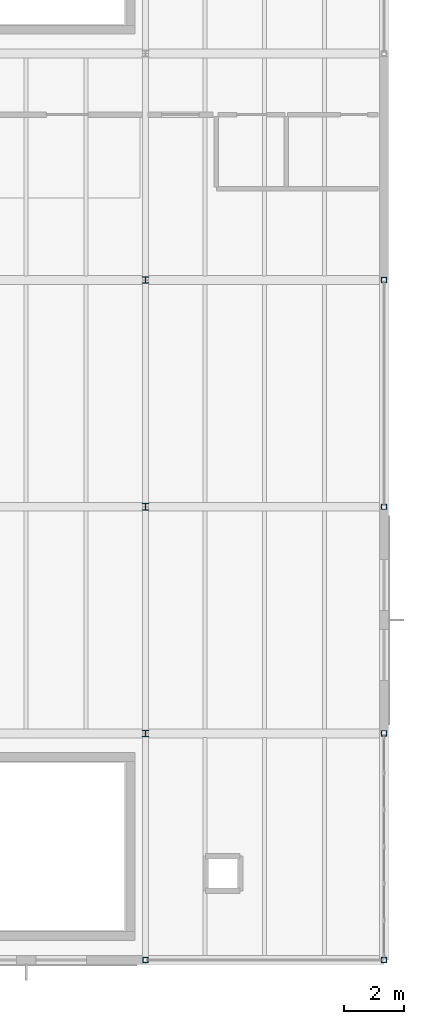
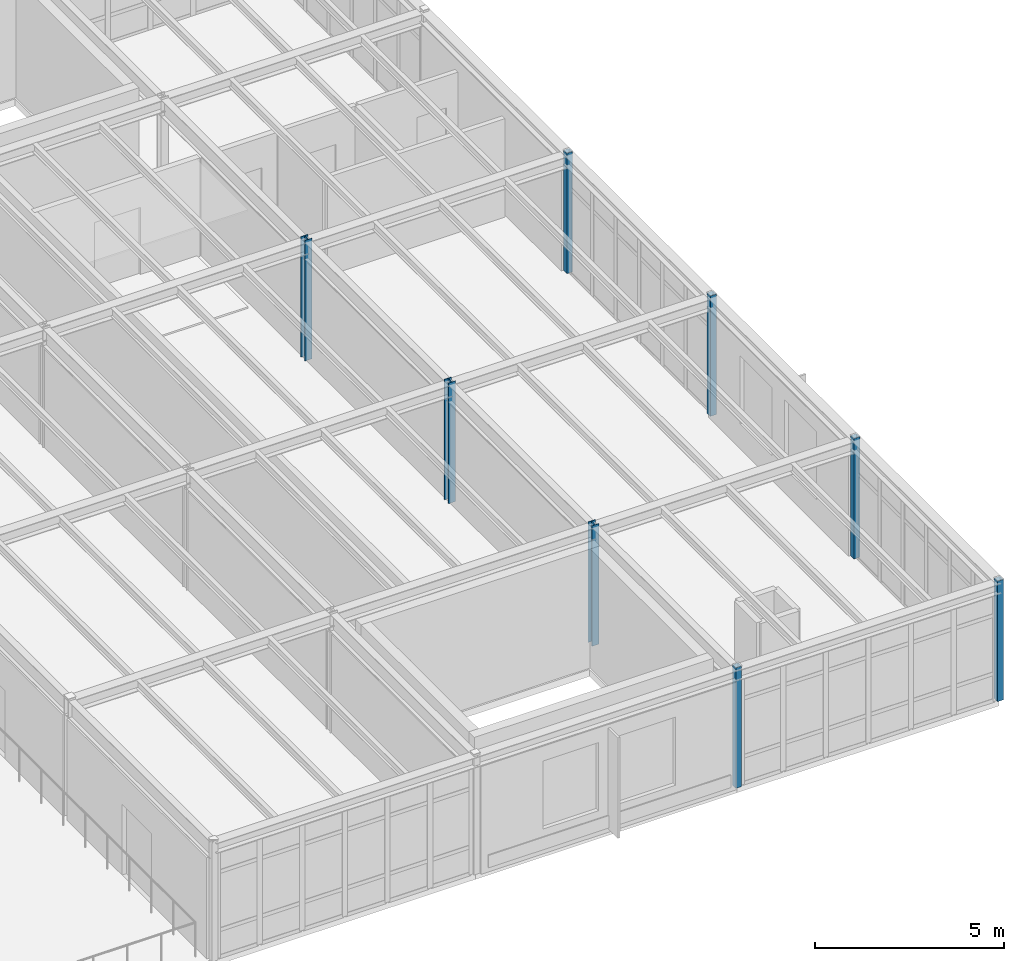
# One storey, part 10 of 65: 8 columns.
"""IFC4 building model written with IfcOpenShell, lengths in metres."""

import ifcopenshell
import ifcopenshell.guid

model = None  # the IFC model being written
_history = None  # IfcOwnerHistory: only IFC2X3 demands one
_inside = {}  # id of a spatial element -> (the spatial element, [elements in it])
_under = {}  # id of a project, library or spatial element -> (it, [spatial elements below it])
_declared = {}  # id of a project -> (the project, [libraries it declares])
_typed = {}  # id of a type object -> (the type object, [elements of that type])
_made_of = {}  # id of a material, layer set ... -> (it, [elements and type objects made of it])


def new_model(schema):
    """Start an empty IFC model of exactly this schema.

    Asked for "IFC4X3", IfcOpenShell would pick the latest addendum, in which some entities
    have other attributes; the version numbers below select the first issue.
    IFC2X3 requires an IfcOwnerHistory on every rooted entity: one is made here for all.
    """
    global model, _history
    if schema == "IFC4X3":
        model = ifcopenshell.file(schema_version=(4, 3, 0, 0))
    else:
        model = ifcopenshell.file(schema=schema)
    _inside.clear()
    _under.clear()
    _declared.clear()
    _typed.clear()
    _made_of.clear()
    _history = None
    if model.schema == "IFC2X3":
        org = make("IfcOrganization", Name="unknown")
        user = make(
            "IfcPersonAndOrganization",
            ThePerson=make("IfcPerson", FamilyName="unknown"),
            TheOrganization=org,
        )
        app = make(
            "IfcApplication",
            ApplicationDeveloper=org,
            Version="unknown",
            ApplicationFullName="unknown",
            ApplicationIdentifier="unknown",
        )
        _history = make(
            "IfcOwnerHistory",
            OwningUser=user,
            OwningApplication=app,
            ChangeAction="ADDED",
            CreationDate=0,
        )
    return model


def make(cls, **values):
    """One entity of the class cls with the attributes given. An attribute that is None is left unset."""
    return model.create_entity(
        cls, **{name: value for name, value in values.items() if value is not None}
    )


def rooted(cls, **values):
    """An entity with a GlobalId (a new one), such as an element, a storey or a relation."""
    return make(cls, GlobalId=ifcopenshell.guid.new(), OwnerHistory=_history, **values)


def si_unit(unit_type, name, prefix=None):
    """IfcSIUnit, for example si_unit("LENGTHUNIT", "METRE", prefix="MILLI")."""
    return make("IfcSIUnit", UnitType=unit_type, Prefix=prefix, Name=name)


def assignment(units):
    """IfcUnitAssignment: the units of a project."""
    return None if units is None else make("IfcUnitAssignment", Units=units)


def point(xyz):
    """IfcCartesianPoint."""
    return None if xyz is None else make("IfcCartesianPoint", Coordinates=xyz)


def direction(xyz):
    """IfcDirection."""
    return None if xyz is None else make("IfcDirection", DirectionRatios=xyz)


def frame(location, z_axis=None, x_axis=None):
    """IfcAxis2Placement3D, a coordinate frame: its origin and axes. An axis left out is left unset."""
    return make(
        "IfcAxis2Placement3D",
        Location=point(location),
        Axis=direction(z_axis),
        RefDirection=direction(x_axis),
    )


def frame_2d(location, x_axis=None):
    """IfcAxis2Placement2D, a coordinate frame in the plane: its origin and x axis."""
    return make(
        "IfcAxis2Placement2D", Location=point(location), RefDirection=direction(x_axis)
    )


def origin():
    """The frame at (0, 0, 0) with its axes left unset."""
    return frame((0.0, 0.0, 0.0))


def origin_2d():
    """The frame at (0, 0) in the plane with its x axis left unset."""
    return frame_2d((0.0, 0.0))


def place(relative_to, where):
    """IfcLocalPlacement: puts the frame where relative to a parent placement (None: the world)."""
    return make(
        "IfcLocalPlacement", PlacementRelTo=relative_to, RelativePlacement=where
    )


def context(
    kind, dimensions, precision=None, world=None, true_north=None, identifier=None
):
    """IfcGeometricRepresentationContext, for example the 3D "Model" context."""
    return make(
        "IfcGeometricRepresentationContext",
        ContextIdentifier=identifier,
        ContextType=kind,
        CoordinateSpaceDimension=dimensions,
        Precision=precision,
        WorldCoordinateSystem=world,
        TrueNorth=true_north,
    )


def subcontext(parent, identifier, kind, view, scale=None):
    """IfcGeometricRepresentationSubContext, for example "Body" below "Model"."""
    return make(
        "IfcGeometricRepresentationSubContext",
        ContextIdentifier=identifier,
        ContextType=kind,
        ParentContext=parent,
        TargetScale=scale,
        TargetView=view,
    )


def project(units=None, contexts=None):
    """IfcProject with its units and contexts."""
    return rooted(
        "IfcProject",
        Name="project",
        RepresentationContexts=contexts,
        UnitsInContext=assignment(units),
    )


def spatial(cls, under=None, at=None, **own):
    """A site, building, storey or space (cls), placed at a placement, below another one or the project."""
    s = rooted(cls, ObjectPlacement=at, **own)
    if under is not None:
        _under.setdefault(under.id(), (under, []))[1].append(s)
    return s


def profile(cls, at=None, kind="AREA", **sizes):
    """A parametric profile (cls). Its sizes go by their IFC names, for example OverallWidth=200.0."""
    return make(cls, ProfileType=kind, Position=at, **sizes)


def hollow_rectangle(**sizes):
    """IfcRectangleHollowProfileDef."""
    return profile("IfcRectangleHollowProfileDef", **sizes)


def i_section(**sizes):
    """IfcIShapeProfileDef."""
    return profile("IfcIShapeProfileDef", **sizes)


def extrude(swept, where, along, depth):
    """IfcExtrudedAreaSolid: the profile swept, set in the frame where, extruded along a direction by depth."""
    return make(
        "IfcExtrudedAreaSolid",
        SweptArea=swept,
        Position=where,
        ExtrudedDirection=direction(along),
        Depth=depth,
    )


def shape(context_of_items, identifier, shape_type, items):
    """IfcShapeRepresentation: the items that make up one representation, for example the "Body"."""
    return make(
        "IfcShapeRepresentation",
        ContextOfItems=context_of_items,
        RepresentationIdentifier=identifier,
        RepresentationType=shape_type,
        Items=items,
    )


def material(Name=None, Category=None):
    """IfcMaterial."""
    return make("IfcMaterial", Name=Name, Category=Category)


def material_profile(
    of_material, cross_section, Name=None, Category=None, Priority=None
):
    """IfcMaterialProfile: a cross section and its material."""
    return make(
        "IfcMaterialProfile",
        Name=Name,
        Material=of_material,
        Profile=cross_section,
        Priority=Priority,
        Category=Category,
    )


def profile_set(profiles, Name=None, composite=None):
    """IfcMaterialProfileSet."""
    return make(
        "IfcMaterialProfileSet",
        Name=Name,
        MaterialProfiles=profiles,
        CompositeProfile=composite,
    )


def made_of(thing, what):
    """Note that an element or type object is made of a material, layer set ...; save() writes the relation."""
    if what is not None:
        _made_of.setdefault(what.id(), (what, []))[1].append(thing)
    return thing


def type_object(cls, material=None, **own):
    """A type object (cls), such as IfcWallType, which elements share."""
    return made_of(rooted(cls, **own), material)


def element(
    cls,
    number,
    at=None,
    inside=None,
    cuts=None,
    type_object=None,
    material=None,
    context=None,
    identifier="Body",
    shape_type=None,
    held_by="IfcProductDefinitionShape",
    body=None,
    shapes=None,
    **own,
):
    """One element of the class cls, such as IfcWall. Its Tag is "e" and its number.

    at: its placement. inside: the storey or other place that contains it. cuts: it is an
    opening in that element (IfcRelVoidsElement). A single representation is given by context,
    identifier, shape_type and body (its items); several are given by shapes. held_by: the class
    of the entity that holds the representations. save() writes the other relations.
    """
    e = rooted(cls, Tag="e%d" % number, ObjectPlacement=at, **own)
    if body is not None:
        shapes = [shape(context, identifier, shape_type, body)]
    if shapes is not None:
        e.Representation = make(held_by, Representations=shapes)
    if inside is not None:
        _inside.setdefault(inside.id(), (inside, []))[1].append(e)
    if cuts is not None:
        rooted(
            "IfcRelVoidsElement", RelatingBuildingElement=cuts, RelatedOpeningElement=e
        )
    if type_object is not None:
        _typed.setdefault(type_object.id(), (type_object, []))[1].append(e)
    return made_of(e, material)


def aggregate(whole, parts):
    """IfcRelAggregates: a whole, such as a stair, and the parts it consists of."""
    return rooted("IfcRelAggregates", RelatingObject=whole, RelatedObjects=parts)


def save(model, path):
    """Write the relations noted so far, then the file.

    IfcRelAggregates (storeys below a building ...), IfcRelContainedInSpatialStructure (elements
    in a storey), IfcRelDefinesByType, IfcRelAssociatesMaterial and IfcRelDeclares: one each for
    every whole, place, type object, material and project.
    """
    for whole, parts in _under.values():
        aggregate(whole, parts)
    for where, things in _inside.values():
        rooted(
            "IfcRelContainedInSpatialStructure",
            RelatedElements=things,
            RelatingStructure=where,
        )
    for kind, things in _typed.values():
        rooted("IfcRelDefinesByType", RelatedObjects=things, RelatingType=kind)
    for what, things in _made_of.values():
        rooted("IfcRelAssociatesMaterial", RelatedObjects=things, RelatingMaterial=what)
    for by, libraries in _declared.values():
        rooted("IfcRelDeclares", RelatingContext=by, RelatedDefinitions=libraries)
    model.write(path)


model = new_model("IFC4")

# Units and contexts
model_context = context("Model", 3, precision=1e-05, world=origin(), true_north=direction((0.0, 1.0)))
body_context = subcontext(model_context, "Body", "Model", "MODEL_VIEW")
ifc_project = project(units=[si_unit("LENGTHUNIT", "METRE"), si_unit("AREAUNIT", "SQUARE_METRE"), si_unit("VOLUMEUNIT", "CUBIC_METRE"), si_unit("PLANEANGLEUNIT", "RADIAN"), si_unit("MASSUNIT", "GRAM", prefix="KILO")], contexts=[model_context])

# Site, building, storey
site_placement = place(None, origin())
site = spatial("IfcSite", under=ifc_project, at=site_placement, CompositionType="ELEMENT")
building_placement = place(site_placement, origin())
building = spatial("IfcBuilding", under=site, at=building_placement, Name="Montecoro Central Library", CompositionType="ELEMENT")
storey_placement = place(building_placement, frame((0.0, 0.0, 17.340087890625)))
storey = spatial("IfcBuildingStorey", under=building, at=storey_placement, Name="L04", CompositionType="ELEMENT", Elevation=17.340087890625)

# Columns
ifc_material = material(Name="Steel S355", Category="steel")
ifc_material_profile_1 = material_profile(ifc_material, i_section(OverallWidth=0.219970703125, OverallDepth=0.219970703125, WebThickness=0.009521484375, FlangeThickness=0.01611328125, at=origin_2d()), Name="HEB 220")
ifc_profile_set_1 = profile_set([ifc_material_profile_1], Name="Steel S355")
column_type_1 = type_object("IfcColumnType", Name="COL-HEB220", PredefinedType="COLUMN", material=ifc_profile_set_1)
for number, where, z_axis, x_axis, name in (
    (1, (165.0, 12.60009765625, 0.0), (0.0, 0.0, 1.0), (1.0, 0.0, 0.0), "V6-L04-COL-21-B"),
    (2, (165.0, 20.199951171875, 0.0), (0.0, 0.0, 1.0), (1.0, 0.0, 0.0), "V6-L04-COL-21-C"),
    (3, (165.0, 27.800048828125, 0.0), (0.0, 0.0, 1.0), (1.0, 0.0, 0.0), "V6-L04-COL-21-D"),
):
    element("IfcColumn", number, at=place(storey_placement, frame(where, z_axis=z_axis, x_axis=x_axis)), inside=storey, type_object=column_type_1, Name=name, PredefinedType="COLUMN", context=body_context, shape_type="SweptSolid", body=[
        extrude(i_section(OverallWidth=0.219970703125, OverallDepth=0.219970703125, WebThickness=0.009521484375, FlangeThickness=0.01611328125, at=origin_2d()), origin(), (0.0, 0.0, 1.0), 3.889892578125),
    ])
ifc_material_profile_2 = material_profile(ifc_material, hollow_rectangle(XDim=0.179931640625, YDim=0.179931640625, WallThickness=0.010009765625, at=origin_2d()), Name="SHS 180x180x10.0")
ifc_profile_set_2 = profile_set([ifc_material_profile_2], Name="Steel S355")
column_type_2 = type_object("IfcColumnType", Name="COL-SHS180", PredefinedType="COLUMN", material=ifc_profile_set_2)
for number, where, z_axis, x_axis, name in (
    (4, (165.0, 5.0, 0.0), (0.0, 0.0, 1.0), (1.0, 0.0, 0.0), "V6-L04-COL-21-A"),
    (5, (173.0, 5.0, 0.0), (0.0, 0.0, 1.0), (1.0, 0.0, 0.0), "V6-L04-COL-22-A"),
    (6, (173.0, 12.60009765625, 0.0), (0.0, 0.0, 1.0), (1.0, 0.0, 0.0), "V6-L04-COL-22-B"),
    (7, (173.0, 20.199951171875, 0.0), (0.0, 0.0, 1.0), (1.0, 0.0, 0.0), "V6-L04-COL-22-C"),
    (8, (173.0, 27.800048828125, 0.0), (0.0, 0.0, 1.0), (1.0, 0.0, 0.0), "V6-L04-COL-22-D"),
):
    element("IfcColumn", number, at=place(storey_placement, frame(where, z_axis=z_axis, x_axis=x_axis)), inside=storey, type_object=column_type_2, Name=name, PredefinedType="COLUMN", context=body_context, shape_type="SweptSolid", body=[
        extrude(hollow_rectangle(XDim=0.179931640625, YDim=0.179931640625, WallThickness=0.010009765625, at=origin_2d()), origin(), (0.0, 0.0, 1.0), 3.889892578125),
    ])

save(model, "model.ifc")
